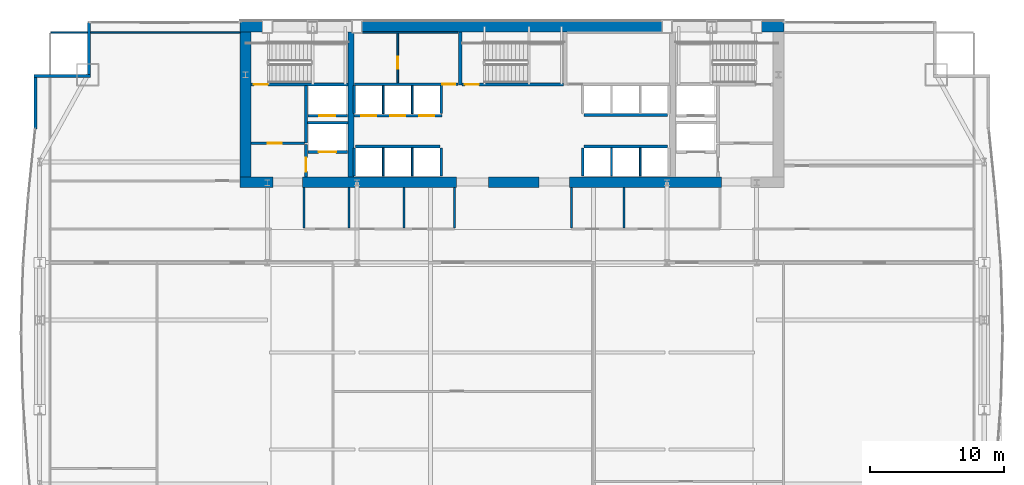
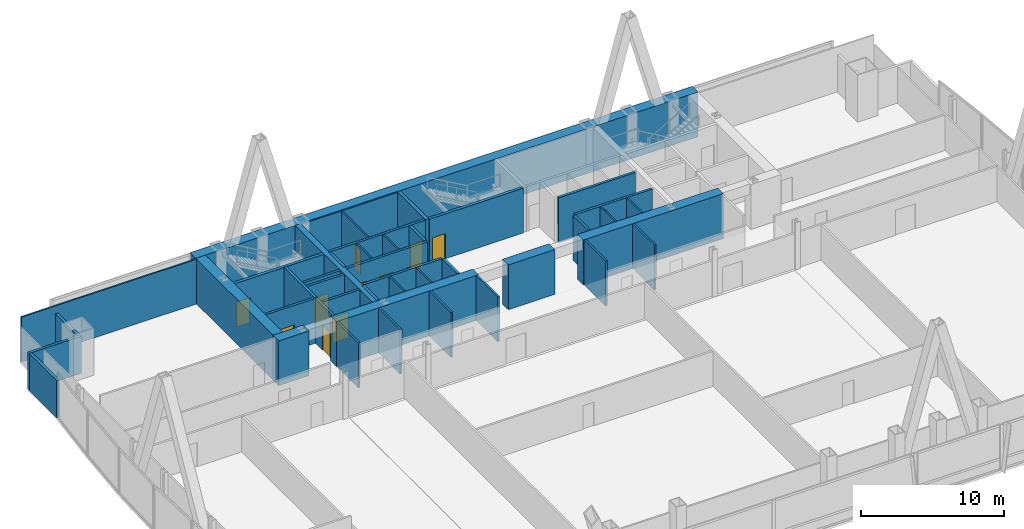
# One storey, part 30 of 35: 44 walls, 11 doors, 11 openings.
"""IFC4 building model written with IfcOpenShell, lengths in metres."""

from ifc_helpers import new_model, si_unit, direction, frame, frame_2d, origin, place, context, subcontext, project, spatial, rectangle, extrude, material, layer, layer_set, type_object, element, fill, save


model = new_model("IFC4")

# Units and contexts
model_context = context("Model", 3, precision=1e-05, world=origin(), true_north=direction((0.0, 1.0)))
body_context = subcontext(model_context, "Body", "Model", "MODEL_VIEW")
ifc_project = project(units=[si_unit("LENGTHUNIT", "METRE"), si_unit("AREAUNIT", "SQUARE_METRE"), si_unit("VOLUMEUNIT", "CUBIC_METRE"), si_unit("PLANEANGLEUNIT", "RADIAN"), si_unit("MASSUNIT", "GRAM", prefix="KILO")], contexts=[model_context])

# Site, building, storey
site_placement = place(None, origin())
site = spatial("IfcSite", under=ifc_project, at=site_placement, CompositionType="ELEMENT")
building_placement = place(site_placement, origin())
building = spatial("IfcBuilding", under=site, at=building_placement, Name="Khoronbel Lancet Exchange", CompositionType="ELEMENT")
storey_placement = place(building_placement, frame((0.0, 0.0, 25.800048828125)))
storey = spatial("IfcBuildingStorey", under=building, at=storey_placement, Name="L05", CompositionType="ELEMENT", Elevation=25.800048828125)

# Walls
ifc_material_1 = material(Name="Concrete C80/95", Category="concrete")
ifc_layer_1 = layer(ifc_material_1, 0.800048828125, Name="Concrete C80/95")
ifc_layer_set_1 = layer_set([ifc_layer_1], Name="Concrete C80/95")
wall_type_1 = type_object("IfcWallType", Name="WL-CW1", PredefinedType="SHEAR", material=ifc_layer_set_1)
wall_1_placement = place(storey_placement, frame((16.199951171875, 53.300048828125, 0.0), z_axis=(0.0, 0.0, 1.0), x_axis=(1.0, 0.0, 0.0)))
element("IfcWall", 1, at=wall_1_placement, inside=storey, type_object=wall_type_1, Name="Level L05 rear core north shear wall", PredefinedType="SHEAR", context=body_context, shape_type="SweptSolid", body=[
    extrude(rectangle(XDim=40.5, YDim=0.800048828125, at=frame_2d((20.25, 0.0))), origin(), (0.0, 0.0, 1.0), 3.820068359375),
])
wall_2_placement = place(storey_placement, frame((16.60009765625, 42.10009765625, 0.0), z_axis=(0.0, 0.0, 1.0), x_axis=(0.0, 1.0, 0.0)))
element("IfcWall", 2, at=wall_2_placement, inside=storey, type_object=wall_type_1, Name="Level L05 rear core west shear wall", PredefinedType="SHEAR", context=body_context, shape_type="SweptSolid", body=[
    extrude(rectangle(XDim=10.7998046875, YDim=0.800048828125, at=frame_2d((5.39990234375, 0.0))), origin(), (0.0, 0.0, 1.0), 3.820068359375),
])
wall_3_placement = place(storey_placement, frame((18.64990234375, 41.699951171875, 0.0), z_axis=(0.0, 0.0, 1.0), x_axis=(-1.0, 0.0, 0.0)))
element("IfcWall", 3, at=wall_3_placement, inside=storey, type_object=wall_type_1, Name="Level L05 rear core south shear wall pier P1", PredefinedType="SHEAR", context=body_context, shape_type="SweptSolid", body=[
    extrude(rectangle(XDim=2.449951171875, YDim=0.800048828125, at=frame_2d((1.22509765625, 0.0))), origin(), (0.0, 0.0, 1.0), 3.820068359375),
])
wall_4_placement = place(storey_placement, frame((32.300048828125, 41.699951171875, 0.0), z_axis=(0.0, 0.0, 1.0), x_axis=(-1.0, 0.0, 0.0)))
element("IfcWall", 4, at=wall_4_placement, inside=storey, type_object=wall_type_1, Name="Level L05 rear core south shear wall pier P2", PredefinedType="SHEAR", context=body_context, shape_type="SweptSolid", body=[
    extrude(rectangle(XDim=11.449951171875, YDim=0.800048828125, at=frame_2d((5.72509765625, 0.0))), origin(), (0.0, 0.0, 1.0), 3.820068359375),
])
wall_5_placement = place(storey_placement, frame((38.449951171875, 41.699951171875, 0.0), z_axis=(0.0, 0.0, 1.0), x_axis=(-1.0, 0.0, 0.0)))
element("IfcWall", 5, at=wall_5_placement, inside=storey, type_object=wall_type_1, Name="Level L05 rear core south shear wall pier P3", PredefinedType="SHEAR", context=body_context, shape_type="SweptSolid", body=[
    extrude(rectangle(XDim=3.75, YDim=0.800048828125, at=frame_2d((1.875, 0.0))), origin(), (0.0, 0.0, 1.0), 3.820068359375),
])
wall_6_placement = place(storey_placement, frame((52.050048828125, 41.699951171875, 0.0), z_axis=(0.0, 0.0, 1.0), x_axis=(-1.0, 0.0, 0.0)))
element("IfcWall", 6, at=wall_6_placement, inside=storey, type_object=wall_type_1, Name="Level L05 rear core south shear wall pier P4", PredefinedType="SHEAR", context=body_context, shape_type="SweptSolid", body=[
    extrude(rectangle(XDim=11.300048828125, YDim=0.800048828125, at=frame_2d((5.64990234375, 0.0))), origin(), (0.0, 0.0, 1.0), 3.820068359375),
])
ifc_material_2 = material(Name="Precast concrete C40/50", Category="concrete")
ifc_layer_2 = layer(ifc_material_2, 0.25, Name="Precast concrete C40/50")
ifc_layer_set_2 = layer_set([ifc_layer_2], Name="Precast concrete C40/50")
wall_type_2 = type_object("IfcWallType", Name="WL-EXT250", PredefinedType="SOLIDWALL", material=ifc_layer_set_2)
wall_7_placement = place(storey_placement, frame((0.93994140625, 45.67529296875, 0.0), z_axis=(0.0, 0.0, 1.0), x_axis=(0.0, 1.0, 0.0)))
element("IfcWall", 7, at=wall_7_placement, inside=storey, type_object=wall_type_2, Name="Level L05 notched-corner limestone pier 10", PredefinedType="SOLIDWALL", context=body_context, shape_type="SweptSolid", body=[
    extrude(rectangle(XDim=3.82470703125, YDim=0.219970703125, at=frame_2d((1.912353515625, 0.0))), origin(), (0.0, 0.0, 1.0), 3.159912109375),
])
wall_8_placement = place(storey_placement, frame((0.830078125, 49.610107421875, 0.0), z_axis=(0.0, 0.0, 1.0), x_axis=(1.0, 0.0, 0.0)))
element("IfcWall", 8, at=wall_8_placement, inside=storey, type_object=wall_type_2, Name="Level L05 notched-corner limestone pier 11", PredefinedType="SOLIDWALL", context=body_context, shape_type="SweptSolid", body=[
    extrude(rectangle(XDim=4.219970703125, YDim=0.219970703125, at=frame_2d((2.10986328125, 0.0))), origin(), (0.0, 0.0, 1.0), 3.159912109375),
])
wall_9_placement = place(storey_placement, frame((4.93994140625, 49.719970703125, 0.0), z_axis=(0.0, 0.0, 1.0), x_axis=(0.0, 1.0, 0.0)))
element("IfcWall", 9, at=wall_9_placement, inside=storey, type_object=wall_type_2, Name="Level L05 notched-corner limestone pier 12", PredefinedType="SOLIDWALL", context=body_context, shape_type="SweptSolid", body=[
    extrude(rectangle(XDim=3.909912109375, YDim=0.219970703125, at=frame_2d((1.955078125, 0.0))), origin(), (0.0, 0.0, 1.0), 3.159912109375),
])
ifc_material_3 = material(Name="Acoustic Metal-Stud & Mineral-Wool Gypsum Partition 120 mm", Category="gypsum")
ifc_layer_3 = layer(ifc_material_3, 0.1201171875, Name="Acoustic Metal-Stud & Mineral-Wool Gypsum Partition 120 mm")
ifc_layer_set_3 = layer_set([ifc_layer_3], Name="Acoustic Metal-Stud & Mineral-Wool Gypsum Partition 120 mm")
wall_type_3 = type_object("IfcWallType", Name="WL-PRT120", PredefinedType="PARTITIONING", material=ifc_layer_set_3)
for number, where, z_axis, x_axis, name in (
    (10, (20.949951171875, 38.280029296875, 0.0), (0.0, 0.0, 1.0), (0.0, 1.0, 0.0), "Level L05 interior partition PW-WC-0"),
    (11, (24.300048828125, 38.280029296875, 0.0), (0.0, 0.0, 1.0), (0.0, 1.0, 0.0), "Level L05 interior partition PW-WC-1"),
    (12, (28.39990234375, 38.280029296875, 0.0), (0.0, 0.0, 1.0), (0.0, 1.0, 0.0), "Level L05 interior partition PW-WC-2"),
    (13, (32.179931640625, 38.280029296875, 0.0), (0.0, 0.0, 1.0), (0.0, 1.0, 0.0), "Level L05 interior partition PW-WC-3"),
    (14, (40.8798828125, 38.280029296875, 0.0), (0.0, 0.0, 1.0), (0.0, 1.0, 0.0), "Level L05 interior partition PW-NP-0"),
    (15, (44.800048828125, 38.280029296875, 0.0), (0.0, 0.0, 1.0), (0.0, 1.0, 0.0), "Level L05 interior partition PW-NP-M"),
):
    element("IfcWall", number, at=place(storey_placement, frame(where, z_axis=z_axis, x_axis=x_axis)), inside=storey, type_object=wall_type_3, Name=name, PredefinedType="PARTITIONING", context=body_context, shape_type="SweptSolid", body=[
        extrude(rectangle(XDim=3.02001953125, YDim=0.14990234375, at=frame_2d((1.510009765625, 0.0))), origin(), (0.0, 0.0, 1.0), 3.820068359375),
    ])
wall_10_placement = place(storey_placement, frame((2.094970703125, 52.840087890625, 0.0), z_axis=(0.0, 0.0, 1.0), x_axis=(1.0, 0.0, 0.0)))
element("IfcWall", 16, at=wall_10_placement, inside=storey, type_object=wall_type_3, Name="Level L05 interior partition PW-LIN-NW", PredefinedType="PARTITIONING", context=body_context, shape_type="SweptSolid", body=[
    extrude(rectangle(XDim=14.10498046875, YDim=0.1201171875, at=frame_2d((7.052490234375, 0.0))), origin(), (0.0, 0.0, 1.0), 3.820068359375),
])
ifc_material_4 = material(Name="Fire-Rated Metal-Stud & Mineral-Wool Gypsum Partition 120 mm", Category="gypsum")
ifc_layer_4 = layer(ifc_material_4, 0.1201171875, Name="Fire-Rated Metal-Stud & Mineral-Wool Gypsum Partition 120 mm")
ifc_layer_set_4 = layer_set([ifc_layer_4], Name="Fire-Rated Metal-Stud & Mineral-Wool Gypsum Partition 120 mm")
wall_type_4 = type_object("IfcWallType", Name="WL-PRT120F", PredefinedType="PARTITIONING", material=ifc_layer_set_4)
for number, where, z_axis, x_axis, name in (
    (17, (26.860107421875, 46.800048828125, 0.0), (0.0, 0.0, 1.0), (0.0, 1.0, 0.0), "Level L05 interior partition CW-PL-D1"),
    (18, (29.02001953125, 46.800048828125, 0.0), (0.0, 0.0, 1.0), (0.0, 1.0, 0.0), "Level L05 interior partition CW-PL-D2"),
):
    element("IfcWall", number, at=place(storey_placement, frame(where, z_axis=z_axis, x_axis=x_axis)), inside=storey, type_object=wall_type_4, Name=name, PredefinedType="PARTITIONING", context=body_context, shape_type="SweptSolid", body=[
        extrude(rectangle(XDim=2.094970703125, YDim=0.1201171875, at=frame_2d((1.04736328125, 0.0))), origin(), (0.0, 0.0, 1.0), 3.820068359375),
    ])
for number, where, z_axis, x_axis, name in (
    (19, (26.860107421875, 42.14990234375, 0.0), (0.0, 0.0, 1.0), (0.0, 1.0, 0.0), "Level L05 interior partition CW-PM-D1"),
    (20, (29.02001953125, 42.14990234375, 0.0), (0.0, 0.0, 1.0), (0.0, 1.0, 0.0), "Level L05 interior partition CW-PM-D2"),
    (21, (43.860107421875, 42.14990234375, 0.0), (0.0, 0.0, 1.0), (0.0, 1.0, 0.0), "Level L05 interior partition CW-PX-D1"),
    (22, (46.0, 42.14990234375, 0.0), (0.0, 0.0, 1.0), (0.0, 1.0, 0.0), "Level L05 interior partition CW-PX-D2"),
):
    element("IfcWall", number, at=place(storey_placement, frame(where, z_axis=z_axis, x_axis=x_axis)), inside=storey, type_object=wall_type_4, Name=name, PredefinedType="PARTITIONING", context=body_context, shape_type="SweptSolid", body=[
        extrude(rectangle(XDim=2.09521484375, YDim=0.1201171875, at=frame_2d((1.047607421875, 0.0))), origin(), (0.0, 0.0, 1.0), 3.820068359375),
    ])
wall_11_placement = place(storey_placement, frame((24.699951171875, 52.860107421875, 0.0), z_axis=(0.0, 0.0, 1.0), x_axis=(1.0, 0.0, 0.0)))
element("IfcWall", 23, at=wall_11_placement, inside=storey, type_object=wall_type_4, Name="Level L05 interior partition CW-SUP-NW-N", PredefinedType="PARTITIONING", context=body_context, shape_type="SweptSolid", body=[
    extrude(rectangle(XDim=7.719970703125, YDim=0.1201171875, at=frame_2d((3.85986328125, 0.0))), origin(), (0.0, 0.0, 1.0), 3.820068359375),
])

# Wall, opening, door
wall_12_placement = place(storey_placement, frame((27.9423828125, 49.10498046875, 0.0), z_axis=(0.0, 0.0, 1.0), x_axis=(0.0, 1.0, 0.0)))
wall_12 = element("IfcWall", 24, at=wall_12_placement, inside=storey, type_object=wall_type_4, Name="Level L05 interior partition CW-SUP-NW-M", PredefinedType="PARTITIONING", context=body_context, shape_type="SweptSolid", body=[
    extrude(rectangle(XDim=3.68994140625, YDim=0.1201171875, at=frame_2d((1.844970703125, 0.0))), origin(), (0.0, 0.0, 1.0), 3.820068359375),
])
opening_1_placement = place(wall_12_placement, frame((1.050048828125, 0.0, 0.0)))
opening_1 = element("IfcOpeningElement", 25, at=opening_1_placement, cuts=wall_12, Name="Opening FD4", PredefinedType="OPENING", context=body_context, shape_type="SweptSolid", body=[
    extrude(rectangle(XDim=0.89990234375, YDim=2.050048828125, at=frame_2d((0.449951171875, 1.02490234375))), frame((0.0, 0.070068359375, 0.0), z_axis=(0.0, -1.0, 0.0), x_axis=(1.0, 0.0, 0.0)), (0.0, 0.0, 1.0), 0.14013671875),
])
ifc_material_5 = material(Name="Fire-Rated Steel Core Support Door Assembly", Category="steel")
door_type_1 = type_object("IfcDoorType", Name="DR-FD4", OperationType="NOTDEFINED", PredefinedType="DOOR", material=ifc_material_5)
door_1_placement = place(opening_1_placement, origin())
door_1 = element("IfcDoor", 26, at=door_1_placement, inside=storey, type_object=door_type_1, Name="Core NW inner support door L05-1", OperationType="SINGLE_SWING_LEFT", OverallHeight=2.050048828125, OverallWidth=0.89990234375, PredefinedType="DOOR", context=body_context, shape_type="SweptSolid", body=[
    extrude(rectangle(XDim=0.89990234375, YDim=2.050048828125, at=frame_2d((0.449951171875, 1.02490234375))), frame((0.0, 0.02490234375, 0.0), z_axis=(0.0, -1.0, 0.0), x_axis=(1.0, 0.0, 0.0)), (0.0, 0.0, 1.0), 0.050048828125),
])
fill(opening_1, door_1)

ifc_material_6 = material(Name="Autoclaved Aerated Concrete Blockwork 200 mm", Category="masonry")
ifc_layer_5 = layer(ifc_material_6, 0.199951171875, Name="Autoclaved Aerated Concrete Blockwork 200 mm")
ifc_layer_set_5 = layer_set([ifc_layer_5], Name="Autoclaved Aerated Concrete Blockwork 200 mm")
wall_type_5 = type_object("IfcWallType", Name="WL-PRT200", PredefinedType="PARTITIONING", material=ifc_layer_set_5)
wall_13_placement = place(storey_placement, frame((24.2099609375, 43.949951171875, 0.0), z_axis=(0.0, 0.0, 1.0), x_axis=(-1.0, 0.0, 0.0)))
wall_13 = element("IfcWall", 27, at=wall_13_placement, inside=storey, type_object=wall_type_5, Name="Level L05 elevator hoistway landing front wall SVLW", PredefinedType="PARTITIONING", context=body_context, shape_type="SweptSolid", body=[
    extrude(rectangle(XDim=2.969970703125, YDim=0.199951171875, at=frame_2d((1.48486328125, 0.0))), origin(), (0.0, 0.0, 1.0), 3.820068359375),
])
opening_2_placement = place(wall_13_placement, frame((0.860107421875, 0.0, 0.0)))
opening_2 = element("IfcOpeningElement", 28, at=opening_2_placement, cuts=wall_13, Name="Opening LD-SVL1", PredefinedType="OPENING", context=body_context, shape_type="SweptSolid", body=[
    extrude(rectangle(XDim=1.300048828125, YDim=2.179931640625, at=frame_2d((0.64990234375, 1.08984375))), frame((0.0, 0.10986328125, 0.0), z_axis=(0.0, -1.0, 0.0), x_axis=(1.0, 0.0, 0.0)), (0.0, 0.0, 1.0), 0.219970703125),
])
ifc_material_7 = material(Name="Heavy-Duty Bi-Parting Goods Lift Landing Door", Category="steel")
door_type_2 = type_object("IfcDoorType", Name="DR-LD-SVL", OperationType="NOTDEFINED", PredefinedType="DOOR", material=ifc_material_7)
door_2_placement = place(opening_2_placement, origin())
door_2 = element("IfcDoor", 29, at=door_2_placement, inside=storey, type_object=door_type_2, Name="Elevator landing sliding door LD-SVL1 L05", OperationType="SLIDING_TO_LEFT", OverallHeight=2.179931640625, OverallWidth=1.300048828125, PredefinedType="DOOR", context=body_context, shape_type="SweptSolid", body=[
    extrude(rectangle(XDim=1.300048828125, YDim=2.179931640625, at=frame_2d((0.64990234375, 1.08984375))), frame((0.0, 0.02490234375, 0.0), z_axis=(0.0, -1.0, 0.0), x_axis=(1.0, 0.0, 0.0)), (0.0, 0.0, 1.0), 0.050048828125),
])
fill(opening_2, door_2)

wall_14_placement = place(storey_placement, frame((24.2099609375, 46.64990234375, 0.0), z_axis=(0.0, 0.0, 1.0), x_axis=(-1.0, 0.0, 0.0)))
wall_14 = element("IfcWall", 30, at=wall_14_placement, inside=storey, type_object=wall_type_5, Name="Level L05 elevator hoistway landing front wall FFLW", PredefinedType="PARTITIONING", context=body_context, shape_type="SweptSolid", body=[
    extrude(rectangle(XDim=2.969970703125, YDim=0.199951171875, at=frame_2d((1.48486328125, 0.0))), origin(), (0.0, 0.0, 1.0), 3.820068359375),
])
opening_3_placement = place(wall_14_placement, frame((0.909912109375, 0.0, 0.0)))
opening_3 = element("IfcOpeningElement", 31, at=opening_3_placement, cuts=wall_14, Name="Opening LD-FFL1", PredefinedType="OPENING", context=body_context, shape_type="SweptSolid", body=[
    extrude(rectangle(XDim=1.199951171875, YDim=2.179931640625, at=frame_2d((0.60009765625, 1.08984375))), frame((0.0, 0.10986328125, 0.0), z_axis=(0.0, -1.0, 0.0), x_axis=(1.0, 0.0, 0.0)), (0.0, 0.0, 1.0), 0.219970703125),
])
ifc_material_8 = material(Name="Fire-Rated Stainless Bi-Parting Firefighting Lift Door", Category="steel")
door_type_3 = type_object("IfcDoorType", Name="DR-LD-FFL", OperationType="NOTDEFINED", PredefinedType="DOOR", material=ifc_material_8)
door_3_placement = place(opening_3_placement, origin())
door_3 = element("IfcDoor", 32, at=door_3_placement, inside=storey, type_object=door_type_3, Name="Elevator landing sliding door LD-FFL1 L05", OperationType="SLIDING_TO_LEFT", OverallHeight=2.179931640625, OverallWidth=1.199951171875, PredefinedType="DOOR", context=body_context, shape_type="SweptSolid", body=[
    extrude(rectangle(XDim=1.199951171875, YDim=2.179931640625, at=frame_2d((0.60009765625, 1.08984375))), frame((0.0, 0.02490234375, 0.0), z_axis=(0.0, -1.0, 0.0), x_axis=(1.0, 0.0, 0.0)), (0.0, 0.0, 1.0), 0.050048828125),
])
fill(opening_3, door_3)

# Wall, openings, doors
wall_15_placement = place(storey_placement, frame((31.219970703125, 46.64990234375, 0.0), z_axis=(0.0, 0.0, 1.0), x_axis=(-1.0, 0.0, 0.0)))
wall_15 = element("IfcWall", 33, at=wall_15_placement, inside=storey, type_object=wall_type_5, Name="Level L05 elevator hoistway landing front wall PLW", PredefinedType="PARTITIONING", context=body_context, shape_type="SweptSolid", body=[
    extrude(rectangle(XDim=6.530029296875, YDim=0.199951171875, at=frame_2d((3.26513671875, 0.0))), origin(), (0.0, 0.0, 1.0), 3.820068359375),
])
opening_4_placement = place(wall_15_placement, frame((4.89990234375, 0.0, 0.0)))
opening_4 = element("IfcOpeningElement", 34, at=opening_4_placement, cuts=wall_15, Name="Opening LD-PL1", PredefinedType="OPENING", context=body_context, shape_type="SweptSolid", body=[
    extrude(rectangle(XDim=1.10009765625, YDim=2.179931640625, at=frame_2d((0.550048828125, 1.08984375))), frame((0.0, 0.10986328125, 0.0), z_axis=(0.0, -1.0, 0.0), x_axis=(1.0, 0.0, 0.0)), (0.0, 0.0, 1.0), 0.219970703125),
])
opening_5_placement = place(wall_15_placement, frame((2.739990234375, 0.0, 0.0)))
opening_5 = element("IfcOpeningElement", 35, at=opening_5_placement, cuts=wall_15, Name="Opening LD-PL2", PredefinedType="OPENING", context=body_context, shape_type="SweptSolid", body=[
    extrude(rectangle(XDim=1.10009765625, YDim=2.179931640625, at=frame_2d((0.550048828125, 1.08984375))), frame((0.0, 0.10986328125, 0.0), z_axis=(0.0, -1.0, 0.0), x_axis=(1.0, 0.0, 0.0)), (0.0, 0.0, 1.0), 0.219970703125),
])
opening_6_placement = place(wall_15_placement, frame((0.580078125, 0.0, 0.0)))
opening_6 = element("IfcOpeningElement", 36, at=opening_6_placement, cuts=wall_15, Name="Opening LD-PL3", PredefinedType="OPENING", context=body_context, shape_type="SweptSolid", body=[
    extrude(rectangle(XDim=1.10009765625, YDim=2.179931640625, at=frame_2d((0.550048828125, 1.08984375))), frame((0.0, 0.10986328125, 0.0), z_axis=(0.0, -1.0, 0.0), x_axis=(1.0, 0.0, 0.0)), (0.0, 0.0, 1.0), 0.219970703125),
])
ifc_material_9 = material(Name="Brushed Bronze Bi-Parting Elevator Landing Door", Category="steel")
door_type_4 = type_object("IfcDoorType", Name="DR-LD-PAX", OperationType="NOTDEFINED", PredefinedType="DOOR", material=ifc_material_9)
door_4_placement = place(opening_4_placement, origin())
door_4 = element("IfcDoor", 37, at=door_4_placement, inside=storey, type_object=door_type_4, Name="Elevator landing sliding door LD-PL1 L05", OperationType="SLIDING_TO_LEFT", OverallHeight=2.179931640625, OverallWidth=1.10009765625, PredefinedType="DOOR", context=body_context, shape_type="SweptSolid", body=[
    extrude(rectangle(XDim=1.10009765625, YDim=2.179931640625, at=frame_2d((0.550048828125, 1.08984375))), frame((0.0, 0.02490234375, 0.0), z_axis=(0.0, -1.0, 0.0), x_axis=(1.0, 0.0, 0.0)), (0.0, 0.0, 1.0), 0.050048828125),
])
fill(opening_4, door_4)
door_5_placement = place(opening_5_placement, origin())
door_5 = element("IfcDoor", 38, at=door_5_placement, inside=storey, type_object=door_type_4, Name="Elevator landing sliding door LD-PL2 L05", OperationType="SLIDING_TO_LEFT", OverallHeight=2.179931640625, OverallWidth=1.10009765625, PredefinedType="DOOR", context=body_context, shape_type="SweptSolid", body=[
    extrude(rectangle(XDim=1.10009765625, YDim=2.179931640625, at=frame_2d((0.550048828125, 1.08984375))), frame((0.0, 0.02490234375, 0.0), z_axis=(0.0, -1.0, 0.0), x_axis=(1.0, 0.0, 0.0)), (0.0, 0.0, 1.0), 0.050048828125),
])
fill(opening_5, door_5)
door_6_placement = place(opening_6_placement, origin())
door_6 = element("IfcDoor", 39, at=door_6_placement, inside=storey, type_object=door_type_4, Name="Elevator landing sliding door LD-PL3 L05", OperationType="SLIDING_TO_LEFT", OverallHeight=2.179931640625, OverallWidth=1.10009765625, PredefinedType="DOOR", context=body_context, shape_type="SweptSolid", body=[
    extrude(rectangle(XDim=1.10009765625, YDim=2.179931640625, at=frame_2d((0.550048828125, 1.08984375))), frame((0.0, 0.02490234375, 0.0), z_axis=(0.0, -1.0, 0.0), x_axis=(1.0, 0.0, 0.0)), (0.0, 0.0, 1.0), 0.050048828125),
])
fill(opening_6, door_6)

# Wall
wall_16_placement = place(storey_placement, frame((21.10009765625, 44.60009765625, 0.0), z_axis=(0.0, 0.0, 1.0), x_axis=(0.0, 1.0, 0.0)))
element("IfcWall", 40, at=wall_16_placement, inside=storey, type_object=wall_type_5, Name="Level L05 interior partition CW-FFLW-E", PredefinedType="PARTITIONING", context=body_context, shape_type="SweptSolid", body=[
    extrude(rectangle(XDim=4.2998046875, YDim=0.199951171875, at=frame_2d((2.14990234375, 0.0))), origin(), (0.0, 0.0, 1.0), 3.820068359375),
])

# Wall, opening, door
wall_17_placement = place(storey_placement, frame((17.0, 44.60009765625, 0.0), z_axis=(0.0, 0.0, 1.0), x_axis=(1.0, 0.0, 0.0)))
wall_17 = element("IfcWall", 41, at=wall_17_placement, inside=storey, type_object=wall_type_5, Name="Level L05 interior partition CW-FFLW-S", PredefinedType="PARTITIONING", context=body_context, shape_type="SweptSolid", body=[
    extrude(rectangle(XDim=4.0, YDim=0.199951171875, at=frame_2d((2.0, 0.0))), origin(), (0.0, 0.0, 1.0), 3.820068359375),
])
opening_7_placement = place(wall_17_placement, frame((1.25, 0.0, 0.0)))
opening_7 = element("IfcOpeningElement", 42, at=opening_7_placement, cuts=wall_17, Name="Opening FD1", PredefinedType="OPENING", context=body_context, shape_type="SweptSolid", body=[
    extrude(rectangle(XDim=1.050048828125, YDim=2.14990234375, at=frame_2d((0.52490234375, 1.074951171875))), frame((0.0, 0.10986328125, 0.0), z_axis=(0.0, -1.0, 0.0), x_axis=(1.0, 0.0, 0.0)), (0.0, 0.0, 1.0), 0.219970703125),
])
ifc_material_10 = material(Name="Fire-Rated Painted Steel Door Assembly", Category="steel")
door_type_5 = type_object("IfcDoorType", Name="DR-FD1", OperationType="NOTDEFINED", PredefinedType="DOOR", material=ifc_material_10)
door_7_placement = place(opening_7_placement, origin())
door_7 = element("IfcDoor", 43, at=door_7_placement, inside=storey, type_object=door_type_5, Name="West firefighting lobby FD90S door L05-1", OperationType="SINGLE_SWING_RIGHT", OverallHeight=2.14990234375, OverallWidth=1.050048828125, PredefinedType="DOOR", context=body_context, shape_type="SweptSolid", body=[
    extrude(rectangle(XDim=1.050048828125, YDim=2.14990234375, at=frame_2d((0.52490234375, 1.074951171875))), frame((0.0, 0.02490234375, 0.0), z_axis=(0.0, -1.0, 0.0), x_axis=(1.0, 0.0, 0.0)), (0.0, 0.0, 1.0), 0.050048828125),
])
fill(opening_7, door_7)

# Wall
wall_18_placement = place(storey_placement, frame((21.199951171875, 46.1201171875, 0.0), z_axis=(0.0, 0.0, 1.0), x_axis=(1.0, 0.0, 0.0)))
element("IfcWall", 44, at=wall_18_placement, inside=storey, type_object=wall_type_5, Name="Level L05 interior partition CW-FFL1-S", PredefinedType="PARTITIONING", context=body_context, shape_type="SweptSolid", body=[
    extrude(rectangle(XDim=3.02001953125, YDim=0.199951171875, at=frame_2d((1.510009765625, 0.0))), origin(), (0.0, 0.0, 1.0), 3.820068359375),
])

# Wall, opening, door
wall_19_placement = place(storey_placement, frame((21.10009765625, 42.10009765625, 0.0), z_axis=(0.0, 0.0, 1.0), x_axis=(0.0, 1.0, 0.0)))
wall_19 = element("IfcWall", 45, at=wall_19_placement, inside=storey, type_object=wall_type_5, Name="Level L05 interior partition CW-SVLW-W", PredefinedType="PARTITIONING", context=body_context, shape_type="SweptSolid", body=[
    extrude(rectangle(XDim=2.39501953125, YDim=0.199951171875, at=frame_2d((1.197509765625, 0.0))), origin(), (0.0, 0.0, 1.0), 3.820068359375),
])
opening_8_placement = place(wall_19_placement, frame((0.3798828125, 0.0, 0.0)))
opening_8 = element("IfcOpeningElement", 46, at=opening_8_placement, cuts=wall_19, Name="Opening FD1", PredefinedType="OPENING", context=body_context, shape_type="SweptSolid", body=[
    extrude(rectangle(XDim=1.050048828125, YDim=2.14990234375, at=frame_2d((0.52490234375, 1.074951171875))), frame((0.0, 0.10986328125, 0.0), z_axis=(0.0, -1.0, 0.0), x_axis=(1.0, 0.0, 0.0)), (0.0, 0.0, 1.0), 0.219970703125),
])
door_8_placement = place(opening_8_placement, origin())
door_8 = element("IfcDoor", 47, at=door_8_placement, inside=storey, type_object=door_type_5, Name="West service lift lobby door L05-1", OperationType="SINGLE_SWING_LEFT", OverallHeight=2.14990234375, OverallWidth=1.050048828125, PredefinedType="DOOR", context=body_context, shape_type="SweptSolid", body=[
    extrude(rectangle(XDim=1.050048828125, YDim=2.14990234375, at=frame_2d((0.52490234375, 1.074951171875))), frame((0.0, 0.02490234375, 0.0), z_axis=(0.0, -1.0, 0.0), x_axis=(1.0, 0.0, 0.0)), (0.0, 0.0, 1.0), 0.050048828125),
])
fill(opening_8, door_8)

# Walls
for number, where, z_axis, x_axis, name in (
    (48, (24.699951171875, 46.800048828125, 0.0), (0.0, 0.0, 1.0), (0.0, 1.0, 0.0), "Level L05 interior partition CW-PL-W"),
    (49, (31.179931640625, 46.800048828125, 0.0), (0.0, 0.0, 1.0), (0.0, 1.0, 0.0), "Level L05 interior partition CW-PL-E"),
):
    element("IfcWall", number, at=place(storey_placement, frame(where, z_axis=z_axis, x_axis=x_axis)), inside=storey, type_object=wall_type_5, Name=name, PredefinedType="PARTITIONING", context=body_context, shape_type="SweptSolid", body=[
        extrude(rectangle(XDim=2.094970703125, YDim=0.199951171875, at=frame_2d((1.04736328125, 0.0))), origin(), (0.0, 0.0, 1.0), 3.820068359375),
    ])
wall_20_placement = place(storey_placement, frame((24.804931640625, 44.35009765625, 0.0), z_axis=(0.0, 0.0, 1.0), x_axis=(1.0, 0.0, 0.0)))
element("IfcWall", 50, at=wall_20_placement, inside=storey, type_object=wall_type_5, Name="Level L05 interior partition CW-PM-EXP", PredefinedType="PARTITIONING", context=body_context, shape_type="SweptSolid", body=[
    extrude(rectangle(XDim=6.27001953125, YDim=0.199951171875, at=frame_2d((3.135009765625, 0.0))), origin(), (0.0, 0.0, 1.0), 3.820068359375),
])
for number, where, z_axis, x_axis, name in (
    (51, (24.699951171875, 42.14990234375, 0.0), (0.0, 0.0, 1.0), (0.0, 1.0, 0.0), "Level L05 interior partition CW-PM-W"),
    (52, (31.179931640625, 42.14990234375, 0.0), (0.0, 0.0, 1.0), (0.0, 1.0, 0.0), "Level L05 interior partition CW-PM-E"),
):
    element("IfcWall", number, at=place(storey_placement, frame(where, z_axis=z_axis, x_axis=x_axis)), inside=storey, type_object=wall_type_5, Name=name, PredefinedType="PARTITIONING", context=body_context, shape_type="SweptSolid", body=[
        extrude(rectangle(XDim=2.09521484375, YDim=0.199951171875, at=frame_2d((1.047607421875, 0.0))), origin(), (0.0, 0.0, 1.0), 3.820068359375),
    ])
for number, where, z_axis, x_axis, name in (
    (53, (41.824951171875, 46.699951171875, 0.0), (0.0, 0.0, 1.0), (1.0, 0.0, 0.0), "Level L05 interior partition CW-PH-EXP"),
    (54, (41.824951171875, 44.35009765625, 0.0), (0.0, 0.0, 1.0), (1.0, 0.0, 0.0), "Level L05 interior partition CW-PX-EXP"),
):
    element("IfcWall", number, at=place(storey_placement, frame(where, z_axis=z_axis, x_axis=x_axis)), inside=storey, type_object=wall_type_5, Name=name, PredefinedType="PARTITIONING", context=body_context, shape_type="SweptSolid", body=[
        extrude(rectangle(XDim=6.2099609375, YDim=0.199951171875, at=frame_2d((3.10498046875, 0.0))), origin(), (0.0, 0.0, 1.0), 3.820068359375),
    ])
wall_21_placement = place(storey_placement, frame((41.719970703125, 42.14990234375, 0.0), z_axis=(0.0, 0.0, 1.0), x_axis=(0.0, 1.0, 0.0)))
element("IfcWall", 55, at=wall_21_placement, inside=storey, type_object=wall_type_5, Name="Level L05 interior partition CW-PX-W", PredefinedType="PARTITIONING", context=body_context, shape_type="SweptSolid", body=[
    extrude(rectangle(XDim=2.09521484375, YDim=0.199951171875, at=frame_2d((1.047607421875, 0.0))), origin(), (0.0, 0.0, 1.0), 3.820068359375),
])

# Wall, opening, door
wall_22_placement = place(storey_placement, frame((24.699951171875, 49.0, 0.0), z_axis=(0.0, 0.0, 1.0), x_axis=(1.0, 0.0, 0.0)))
wall_22 = element("IfcWall", 56, at=wall_22_placement, inside=storey, type_object=wall_type_5, Name="Level L05 interior partition CW-SUP-NW-S", PredefinedType="PARTITIONING", context=body_context, shape_type="SweptSolid", body=[
    extrude(rectangle(XDim=7.719970703125, YDim=0.199951171875, at=frame_2d((3.85986328125, 0.0))), origin(), (0.0, 0.0, 1.0), 3.820068359375),
])
opening_9_placement = place(wall_22_placement, frame((6.56005859375, 0.0, 0.0)))
opening_9 = element("IfcOpeningElement", 57, at=opening_9_placement, cuts=wall_22, Name="Opening FD3", PredefinedType="OPENING", context=body_context, shape_type="SweptSolid", body=[
    extrude(rectangle(XDim=0.949951171875, YDim=2.10009765625, at=frame_2d((0.47509765625, 1.050048828125))), frame((0.0, 0.10986328125, 0.0), z_axis=(0.0, -1.0, 0.0), x_axis=(1.0, 0.0, 0.0)), (0.0, 0.0, 1.0), 0.219970703125),
])
ifc_material_11 = material(Name="Fire-Rated Steel Plant & Riser Door Assembly", Category="steel")
door_type_6 = type_object("IfcDoorType", Name="DR-FD3", OperationType="NOTDEFINED", PredefinedType="DOOR", material=ifc_material_11)
door_9_placement = place(opening_9_placement, origin())
door_9 = element("IfcDoor", 58, at=door_9_placement, inside=storey, type_object=door_type_6, Name="Core NW support room door L05-1", OperationType="SINGLE_SWING_RIGHT", OverallHeight=2.10009765625, OverallWidth=0.949951171875, PredefinedType="DOOR", context=body_context, shape_type="SweptSolid", body=[
    extrude(rectangle(XDim=0.949951171875, YDim=2.10009765625, at=frame_2d((0.47509765625, 1.050048828125))), frame((0.0, 0.02490234375, 0.0), z_axis=(0.0, -1.0, 0.0), x_axis=(1.0, 0.0, 0.0)), (0.0, 0.0, 1.0), 0.050048828125),
])
fill(opening_9, door_9)

# Walls
ifc_layer_6 = layer(ifc_material_1, 0.449951171875, Name="Concrete C80/95")
ifc_layer_set_6 = layer_set([ifc_layer_6], Name="Concrete C80/95")
wall_type_6 = type_object("IfcWallType", Name="WL-SW1", PredefinedType="SHEAR", material=ifc_layer_set_6)
wall_23_placement = place(storey_placement, frame((24.449951171875, 42.10009765625, 0.0), z_axis=(0.0, 0.0, 1.0), x_axis=(0.0, 1.0, 0.0)))
element("IfcWall", 59, at=wall_23_placement, inside=storey, type_object=wall_type_6, Name="Level L05 rear core internal spine shear wall IW", PredefinedType="SHEAR", context=body_context, shape_type="SweptSolid", body=[
    extrude(rectangle(XDim=10.7998046875, YDim=0.449951171875, at=frame_2d((5.39990234375, 0.0))), origin(), (0.0, 0.0, 1.0), 3.820068359375),
])
ifc_material_12 = material(Name="Concrete C60/75", Category="concrete")
ifc_layer_7 = layer(ifc_material_12, 0.260009765625, Name="Concrete C60/75")
ifc_layer_set_7 = layer_set([ifc_layer_7], Name="Concrete C60/75")
wall_type_7 = type_object("IfcWallType", Name="WL-SW3", PredefinedType="SHEAR", material=ifc_layer_set_7)
wall_24_placement = place(storey_placement, frame((32.580078125, 48.949951171875, 0.0), z_axis=(0.0, 0.0, 1.0), x_axis=(0.0, 1.0, 0.0)))
element("IfcWall", 60, at=wall_24_placement, inside=storey, type_object=wall_type_7, Name="Level L05 central stairwell structural shear wall ST3W", PredefinedType="SHEAR", context=body_context, shape_type="SweptSolid", body=[
    extrude(rectangle(XDim=3.949951171875, YDim=0.260009765625, at=frame_2d((1.97509765625, 0.0))), origin(), (0.0, 0.0, 1.0), 3.820068359375),
])

# Wall, opening, door
wall_25_placement = place(storey_placement, frame((17.0, 48.97998046875, 0.0), z_axis=(0.0, 0.0, 1.0), x_axis=(1.0, 0.0, 0.0)))
wall_25 = element("IfcWall", 61, at=wall_25_placement, inside=storey, type_object=wall_type_7, Name="Level L05 west stairwell structural south wall", PredefinedType="SHEAR", context=body_context, shape_type="SweptSolid", body=[
    extrude(rectangle(XDim=7.219970703125, YDim=0.239990234375, at=frame_2d((3.60986328125, 0.0))), origin(), (0.0, 0.0, 1.0), 3.820068359375),
])
opening_10_placement = place(wall_25_placement, frame((0.219970703125, 0.0, 0.0)))
opening_10 = element("IfcOpeningElement", 62, at=opening_10_placement, cuts=wall_25, Name="Opening SD1", PredefinedType="OPENING", context=body_context, shape_type="SweptSolid", body=[
    extrude(rectangle(XDim=1.050048828125, YDim=2.14990234375, at=frame_2d((0.52490234375, 1.074951171875))), frame((0.0, 0.1298828125, 0.0), z_axis=(0.0, -1.0, 0.0), x_axis=(1.0, 0.0, 0.0)), (0.0, 0.0, 1.0), 0.260009765625),
])
ifc_material_13 = material(Name="Fire-Rated Steel Stairwell Door Assembly", Category="steel")
door_type_7 = type_object("IfcDoorType", Name="DR-SD1", OperationType="NOTDEFINED", PredefinedType="DOOR", material=ifc_material_13)
door_10_placement = place(opening_10_placement, origin())
door_10 = element("IfcDoor", 63, at=door_10_placement, inside=storey, type_object=door_type_7, Name="Protected exit stair ST1 door L05", OperationType="SINGLE_SWING_LEFT", OverallHeight=2.14990234375, OverallWidth=1.050048828125, PredefinedType="DOOR", context=body_context, shape_type="SweptSolid", body=[
    extrude(rectangle(XDim=1.050048828125, YDim=2.14990234375, at=frame_2d((0.52490234375, 1.074951171875))), frame((0.0, 0.02490234375, 0.0), z_axis=(0.0, -1.0, 0.0), x_axis=(1.0, 0.0, 0.0)), (0.0, 0.0, 1.0), 0.050048828125),
])
fill(opening_10, door_10)

wall_26_placement = place(storey_placement, frame((32.719970703125, 48.97998046875, 0.0), z_axis=(0.0, 0.0, 1.0), x_axis=(1.0, 0.0, 0.0)))
wall_26 = element("IfcWall", 64, at=wall_26_placement, inside=storey, type_object=wall_type_7, Name="Level L05 central stairwell structural south wall", PredefinedType="SHEAR", context=body_context, shape_type="SweptSolid", body=[
    extrude(rectangle(XDim=7.56005859375, YDim=0.239990234375, at=frame_2d((3.780029296875, 0.0))), origin(), (0.0, 0.0, 1.0), 3.820068359375),
])
opening_11_placement = place(wall_26_placement, frame((0.219970703125, 0.0, 0.0)))
opening_11 = element("IfcOpeningElement", 65, at=opening_11_placement, cuts=wall_26, Name="Opening SD1", PredefinedType="OPENING", context=body_context, shape_type="SweptSolid", body=[
    extrude(rectangle(XDim=1.050048828125, YDim=2.14990234375, at=frame_2d((0.52490234375, 1.074951171875))), frame((0.0, 0.1298828125, 0.0), z_axis=(0.0, -1.0, 0.0), x_axis=(1.0, 0.0, 0.0)), (0.0, 0.0, 1.0), 0.260009765625),
])
door_11_placement = place(opening_11_placement, origin())
door_11 = element("IfcDoor", 66, at=door_11_placement, inside=storey, type_object=door_type_7, Name="Protected exit stair ST3 door L05", OperationType="SINGLE_SWING_LEFT", OverallHeight=2.14990234375, OverallWidth=1.050048828125, PredefinedType="DOOR", context=body_context, shape_type="SweptSolid", body=[
    extrude(rectangle(XDim=1.050048828125, YDim=2.14990234375, at=frame_2d((0.52490234375, 1.074951171875))), frame((0.0, 0.02490234375, 0.0), z_axis=(0.0, -1.0, 0.0), x_axis=(1.0, 0.0, 0.0)), (0.0, 0.0, 1.0), 0.050048828125),
])
fill(opening_11, door_11)

save(model, "model.ifc")
